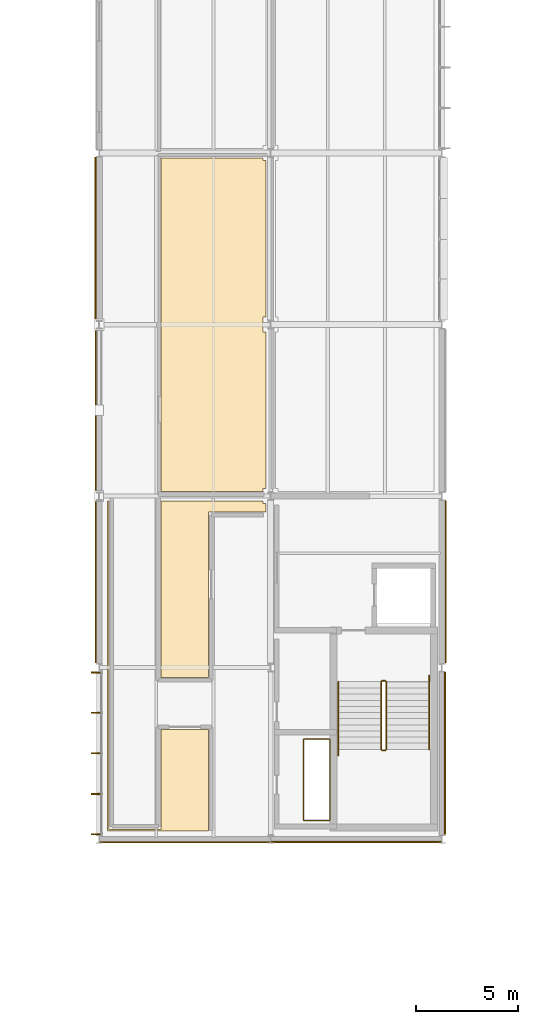
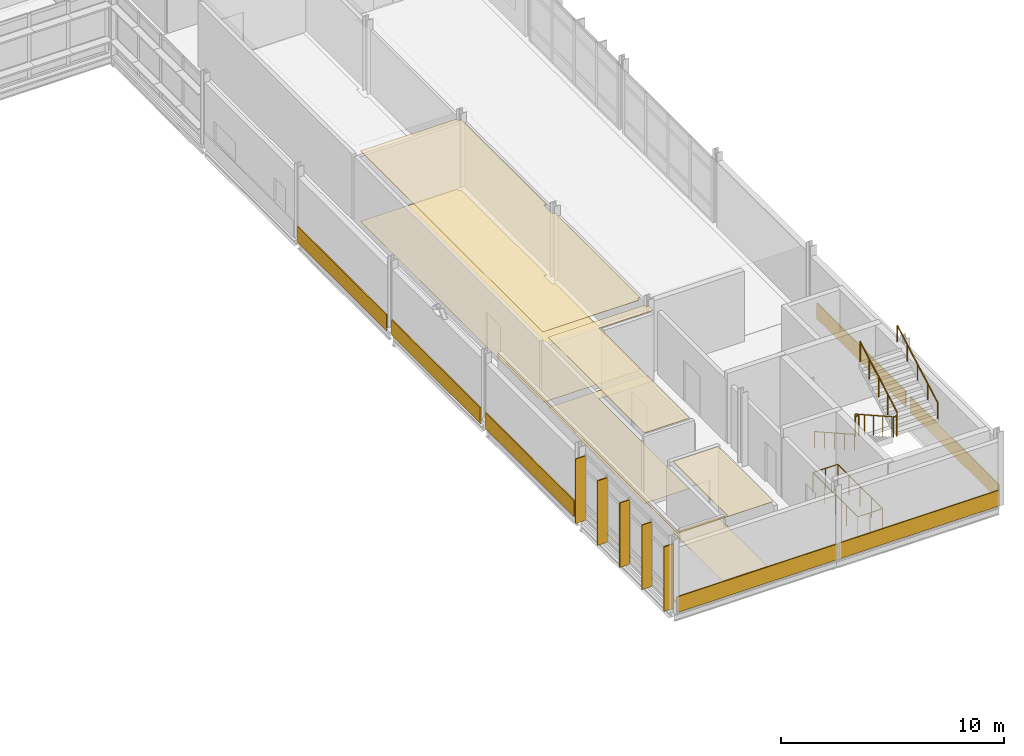
# One storey, part 127 of 131: 13 coverings, 7 railings, 5 shading devices.
"""IFC4 building model written with IfcOpenShell, lengths in metres."""

from ifc_helpers import new_model, si_unit, direction, frame, origin, origin_2d, place, context, subcontext, project, spatial, polyline, rectangle, circle, outline, extrude, material, layer, layer_set, type_object, element, save


model = new_model("IFC4")

# Units and contexts
model_context = context("Model", 3, precision=1e-05, world=origin(), true_north=direction((0.0, 1.0)))
body_context = subcontext(model_context, "Body", "Model", "MODEL_VIEW")
ifc_project = project(units=[si_unit("LENGTHUNIT", "METRE"), si_unit("AREAUNIT", "SQUARE_METRE"), si_unit("VOLUMEUNIT", "CUBIC_METRE"), si_unit("PLANEANGLEUNIT", "RADIAN"), si_unit("MASSUNIT", "GRAM", prefix="KILO")], contexts=[model_context])

# Site, building, storey
site_placement = place(None, origin())
site = spatial("IfcSite", under=ifc_project, at=site_placement, CompositionType="ELEMENT")
building_placement = place(site_placement, origin())
building = spatial("IfcBuilding", under=site, at=building_placement, Name="Mersafa Astral City Hall", CompositionType="ELEMENT")
storey_placement = place(building_placement, frame((0.0, 0.0, 13.949951171875)))
storey = spatial("IfcBuildingStorey", under=building, at=storey_placement, Name="L03", CompositionType="ELEMENT", Elevation=13.949951171875)

# Coverings
ifc_material_1 = material(Name="Cairo Mokattam buff limestone cladding", Category="masonry")
ifc_layer_1 = layer(ifc_material_1, 0.06005859375, Name="Cairo Mokattam buff limestone cladding")
ifc_layer_set_1 = layer_set([ifc_layer_1], Name="Cairo Mokattam buff limestone cladding — ENV-COV-LIMESTONE-60")
covering_type_1 = type_object("IfcCoveringType", Name="ENV-COV-LIMESTONE-60", PredefinedType="CLADDING", material=ifc_layer_set_1)
covering_1_placement = place(storey_placement, frame((159.423095703125, 79.81494140625, 0.0), z_axis=(0.0, 0.0, 1.0), x_axis=(0.0, -1.0, 0.0)))
element("IfcCovering", 1, at=covering_1_placement, inside=storey, type_object=covering_type_1, Name="L03 Cairo buff limestone rainscreen cladding 226", PredefinedType="CLADDING", context=body_context, shape_type="SweptSolid", body=[
    extrude(rectangle(XDim=7.97802734375, YDim=0.06005859375, at=origin_2d()), origin(), (0.0, 0.0, 1.0), 0.860107421875),
])
for number, where, z_axis, x_axis, name in (
    (2, (159.430419921875, 71.39990234375, 0.0), (0.0, 0.0, 1.0), (0.0, -1.0, 0.0), "L03 Cairo buff limestone rainscreen cladding 227"),
    (3, (159.43798828125, 63.0, 0.0), (0.0, 0.0, 1.0), (0.0, -1.0, 0.0), "L03 Cairo buff limestone rainscreen cladding 228"),
):
    element("IfcCovering", number, at=place(storey_placement, frame(where, z_axis=z_axis, x_axis=x_axis)), inside=storey, type_object=covering_type_1, Name=name, PredefinedType="CLADDING", context=body_context, shape_type="SweptSolid", body=[
        extrude(rectangle(XDim=7.947998046875, YDim=0.06005859375, at=origin_2d()), origin(), (0.0, 0.0, 1.0), 0.860107421875),
    ])
for number, where, z_axis, x_axis, name in (
    (4, (163.800048828125, 50.24560546875, 0.0), (0.0, 0.0, 1.0), (1.0, 0.0, 0.0), "L03 Cairo buff limestone rainscreen cladding 229"),
    (5, (172.199951171875, 50.2529296875, 0.0), (0.0, 0.0, 1.0), (1.0, 0.0, 0.0), "L03 Cairo buff limestone rainscreen cladding 230"),
):
    element("IfcCovering", number, at=place(storey_placement, frame(where, z_axis=z_axis, x_axis=x_axis)), inside=storey, type_object=covering_type_1, Name=name, PredefinedType="CLADDING", context=body_context, shape_type="SweptSolid", body=[
        extrude(rectangle(XDim=8.323974609375, YDim=0.06005859375, at=origin_2d()), origin(), (0.0, 0.0, 1.0), 0.860107421875),
    ])
for number, where, z_axis, x_axis, name in (
    (6, (176.53955078125, 54.60009765625, 0.0), (0.0, 0.0, 1.0), (0.0, 1.0, 0.0), "L03 Cairo buff limestone rainscreen cladding 231"),
    (7, (176.576904296875, 63.0, 0.0), (0.0, 0.0, 1.0), (0.0, 1.0, 0.0), "L03 Cairo buff limestone rainscreen cladding 232"),
):
    element("IfcCovering", number, at=place(storey_placement, frame(where, z_axis=z_axis, x_axis=x_axis)), inside=storey, type_object=covering_type_1, Name=name, PredefinedType="CLADDING", context=body_context, shape_type="SweptSolid", body=[
        extrude(rectangle(XDim=7.947998046875, YDim=0.06005859375, at=origin_2d()), origin(), (0.0, 0.0, 1.0), 0.860107421875),
    ])

# Shading devices
ifc_material_2 = material(Name="Anodised bronze aluminium solar fin", Category="aluminium")
shading_device_type = type_object("IfcShadingDeviceType", Name="ENV-SHD-FIN-500A", PredefinedType="USERDEFINED", material=ifc_material_2)
for number, where, z_axis, x_axis, name in (
    (8, (159.455078125, 58.55810546875, -0.01513671875), (0.0, 0.0, 1.0), (0.0, -1.0, 0.0), "L03 Vertical bronze solar fin 1052"),
    (9, (159.455078125, 56.593994140625, -0.01513671875), (0.0, 0.0, 1.0), (0.0, -1.0, 0.0), "L03 Vertical bronze solar fin 1053"),
    (10, (159.455078125, 54.60009765625, -0.01513671875), (0.0, 0.0, 1.0), (0.0, -1.0, 0.0), "L03 Vertical bronze solar fin 1054"),
    (11, (159.455078125, 52.60595703125, -0.01513671875), (0.0, 0.0, 1.0), (0.0, -1.0, 0.0), "L03 Vertical bronze solar fin 1055"),
    (12, (159.455078125, 50.64208984375, -0.01513671875), (0.0, 0.0, 1.0), (0.0, -1.0, 0.0), "L03 Vertical bronze solar fin 1056"),
):
    element("IfcShadingDevice", number, at=place(storey_placement, frame(where, z_axis=z_axis, x_axis=x_axis)), inside=storey, type_object=shading_device_type, Name=name, ObjectType="FIN", PredefinedType="USERDEFINED", context=body_context, shape_type="SweptSolid", body=[
        extrude(rectangle(XDim=0.06005859375, YDim=0.5, at=origin_2d()), origin(), (0.0, 0.0, 1.0), 3.527099609375),
    ])

# Railings
ifc_material_3 = material(Name="Painted architectural steel stair guard balustrade", Category="steel")
railing_type_1 = type_object("IfcRailingType", Name="GUARD-RAIL", PredefinedType="BALUSTRADE", material=ifc_material_3)
railing_1_placement = place(storey_placement, frame((173.409912109375, 58.10009765625, 0.168701171875)))
element("IfcRailing", 13, at=railing_1_placement, inside=storey, type_object=railing_type_1, Name="L03 ST4 stair guard 1", PredefinedType="BALUSTRADE", context=body_context, shape_type="SweptSolid", body=[
    extrude(circle(Radius=0.02392578125, at=origin_2d()), frame((0.0, 0.0, 1.09619140625), z_axis=(0.0, -0.871556594703, 0.490294913526), x_axis=(1.0, 0.0, 0.0)), (0.0, 0.0, 1.0), 3.786376953125),
    extrude(circle(Radius=0.02099609375, at=origin_2d()), origin(), (0.0, 0.0, 1.0), 1.072021484375),
    extrude(circle(Radius=0.02099609375, at=origin_2d()), frame((0.0, -0.824951171875, 0.464111328125)), (0.0, 0.0, 1.0), 1.072021484375),
    extrude(circle(Radius=0.02099609375, at=origin_2d()), frame((0.0, -1.64990234375, 0.92822265625)), (0.0, 0.0, 1.0), 1.072021484375),
    extrude(circle(Radius=0.02099609375, at=origin_2d()), frame((0.0, -2.47509765625, 1.392333984375)), (0.0, 0.0, 1.0), 1.072021484375),
    extrude(circle(Radius=0.02099609375, at=origin_2d()), frame((0.0, -3.300048828125, 1.8564453125)), (0.0, 0.0, 1.0), 1.072021484375),
])
railing_2_placement = place(storey_placement, frame((173.4599609375, 54.75, 2.025146484375)))
element("IfcRailing", 14, at=railing_2_placement, inside=storey, type_object=railing_type_1, Name="L03 ST4 stair guard 2", PredefinedType="BALUSTRADE", context=body_context, shape_type="SweptSolid", body=[
    extrude(circle(Radius=0.02392578125, at=origin_2d()), frame((0.0, 0.0, 1.09619140625), z_axis=(1.0, 0.0, 0.0), x_axis=(0.0, 1.0, 0.0)), (0.0, 0.0, 1.0), 0.16015625),
    extrude(circle(Radius=0.02099609375, at=origin_2d()), origin(), (0.0, 0.0, 1.0), 1.072021484375),
    extrude(circle(Radius=0.02099609375, at=origin_2d()), frame((0.16015625, 0.0, 0.0)), (0.0, 0.0, 1.0), 1.072021484375),
])
railing_3_placement = place(storey_placement, frame((173.669921875, 54.800048828125, 2.19384765625)))
element("IfcRailing", 15, at=railing_3_placement, inside=storey, type_object=railing_type_1, Name="L03 ST4 stair guard 3", PredefinedType="BALUSTRADE", context=body_context, shape_type="SweptSolid", body=[
    extrude(circle(Radius=0.02392578125, at=origin_2d()), frame((0.0, 0.0, 1.09619140625), z_axis=(0.0, 0.871584147158, 0.490245932592), x_axis=(-1.0, 0.0, 0.0)), (0.0, 0.0, 1.0), 3.786376953125),
    extrude(circle(Radius=0.02099609375, at=origin_2d()), origin(), (0.0, 0.0, 1.0), 1.072021484375),
    extrude(circle(Radius=0.02099609375, at=origin_2d()), frame((0.0, 0.824951171875, 0.464111328125)), (0.0, 0.0, 1.0), 1.072021484375),
    extrude(circle(Radius=0.02099609375, at=origin_2d()), frame((0.0, 1.64990234375, 0.92822265625)), (0.0, 0.0, 1.0), 1.072021484375),
    extrude(circle(Radius=0.02099609375, at=origin_2d()), frame((0.0, 2.47509765625, 1.39208984375)), (0.0, 0.0, 1.0), 1.072021484375),
    extrude(circle(Radius=0.02099609375, at=origin_2d()), frame((0.0, 3.300048828125, 1.856201171875)), (0.0, 0.0, 1.0), 1.072021484375),
])
railing_4_placement = place(storey_placement, frame((173.4599609375, 58.14990234375, 0.0)))
element("IfcRailing", 16, at=railing_4_placement, inside=storey, type_object=railing_type_1, Name="L03 ST4 stair guard 4", PredefinedType="BALUSTRADE", context=body_context, shape_type="SweptSolid", body=[
    extrude(circle(Radius=0.02392578125, at=origin_2d()), frame((0.0, 0.0, 1.09619140625), z_axis=(1.0, 0.0, 0.0), x_axis=(0.0, 1.0, 0.0)), (0.0, 0.0, 1.0), 0.16015625),
    extrude(circle(Radius=0.02099609375, at=origin_2d()), origin(), (0.0, 0.0, 1.0), 1.072021484375),
    extrude(circle(Radius=0.02099609375, at=origin_2d()), frame((0.16015625, 0.0, 0.0)), (0.0, 0.0, 1.0), 1.072021484375),
])
railing_5_placement = place(storey_placement, frame((169.6201171875, 51.300048828125, 0.0)))
element("IfcRailing", 17, at=railing_5_placement, inside=storey, type_object=railing_type_1, Name="L03 K4 MEP Riser Shaft Guard", PredefinedType="BALUSTRADE", context=body_context, shape_type="SweptSolid", body=[
    extrude(circle(Radius=0.02392578125, at=origin_2d()), frame((0.0, 0.0, 1.09619140625), z_axis=(1.0, 0.0, 0.0), x_axis=(0.0, 1.0, 0.0)), (0.0, 0.0, 1.0), 1.27978515625),
    extrude(circle(Radius=0.02392578125, at=origin_2d()), frame((1.27978515625, 0.0, 1.09619140625), z_axis=(0.0, 1.0, 0.0), x_axis=(-1.0, 0.0, 0.0)), (0.0, 0.0, 1.0), 4.0),
    extrude(circle(Radius=0.02392578125, at=origin_2d()), frame((1.27978515625, 4.0, 1.09619140625), z_axis=(-1.0, 0.0, 0.0), x_axis=(0.0, -1.0, 0.0)), (0.0, 0.0, 1.0), 1.27978515625),
    extrude(circle(Radius=0.02392578125, at=origin_2d()), frame((0.0, 4.0, 1.09619140625), z_axis=(0.0, -1.0, 0.0), x_axis=(1.0, 0.0, 0.0)), (0.0, 0.0, 1.0), 4.0),
    extrude(circle(Radius=0.02099609375, at=origin_2d()), origin(), (0.0, 0.0, 1.0), 1.072021484375),
    extrude(circle(Radius=0.02099609375, at=origin_2d()), frame((0.639892578125, 0.0, 0.0)), (0.0, 0.0, 1.0), 1.072021484375),
    extrude(circle(Radius=0.02099609375, at=origin_2d()), frame((1.27978515625, 0.0, 0.0)), (0.0, 0.0, 1.0), 1.072021484375),
    extrude(circle(Radius=0.02099609375, at=origin_2d()), frame((1.27978515625, 1.0, 0.0)), (0.0, 0.0, 1.0), 1.072021484375),
    extrude(circle(Radius=0.02099609375, at=origin_2d()), frame((1.27978515625, 2.0, 0.0)), (0.0, 0.0, 1.0), 1.072021484375),
    extrude(circle(Radius=0.02099609375, at=origin_2d()), frame((1.27978515625, 3.0, 0.0)), (0.0, 0.0, 1.0), 1.072021484375),
    extrude(circle(Radius=0.02099609375, at=origin_2d()), frame((1.27978515625, 4.0, 0.0)), (0.0, 0.0, 1.0), 1.072021484375),
    extrude(circle(Radius=0.02099609375, at=origin_2d()), frame((0.639892578125, 4.0, 0.0)), (0.0, 0.0, 1.0), 1.072021484375),
    extrude(circle(Radius=0.02099609375, at=origin_2d()), frame((0.0, 4.0, 0.0)), (0.0, 0.0, 1.0), 1.072021484375),
    extrude(circle(Radius=0.02099609375, at=origin_2d()), frame((0.0, 3.0, 0.0)), (0.0, 0.0, 1.0), 1.072021484375),
    extrude(circle(Radius=0.02099609375, at=origin_2d()), frame((0.0, 2.0, 0.0)), (0.0, 0.0, 1.0), 1.072021484375),
    extrude(circle(Radius=0.02099609375, at=origin_2d()), frame((0.0, 1.0, 0.0)), (0.0, 0.0, 1.0), 1.072021484375),
])
ifc_material_4 = material(Name="Brushed stainless steel tubular handrail", Category="steel")
railing_type_2 = type_object("IfcRailingType", Name="HANDRAIL", PredefinedType="HANDRAIL", material=ifc_material_4)
railing_6_placement = place(storey_placement, frame((171.31005859375, 58.10009765625, 0.168701171875)))
element("IfcRailing", 18, at=railing_6_placement, inside=storey, type_object=railing_type_2, Name="L03 ST4 stair handrail 1", PredefinedType="HANDRAIL", context=body_context, shape_type="SweptSolid", body=[
    extrude(circle(Radius=0.02392578125, at=origin_2d()), frame((0.0, 0.0, 0.8759765625), z_axis=(0.0, -0.871262930089, 0.49081657129), x_axis=(1.0, 0.0, 0.0)), (0.0, 0.0, 1.0), 4.132080078125),
    extrude(circle(Radius=0.02099609375, at=origin_2d()), origin(), (0.0, 0.0, 1.0), 0.851806640625),
    extrude(circle(Radius=0.02099609375, at=origin_2d()), frame((0.0, -0.89990234375, 0.507080078125)), (0.0, 0.0, 1.0), 0.851806640625),
    extrude(circle(Radius=0.02099609375, at=origin_2d()), frame((0.0, -1.800048828125, 1.01416015625)), (0.0, 0.0, 1.0), 0.851806640625),
    extrude(circle(Radius=0.02099609375, at=origin_2d()), frame((0.0, -2.7001953125, 1.52099609375)), (0.0, 0.0, 1.0), 0.851806640625),
    extrude(circle(Radius=0.02099609375, at=origin_2d()), frame((0.0, -3.60009765625, 2.028076171875)), (0.0, 0.0, 1.0), 0.851806640625),
])
railing_7_placement = place(storey_placement, frame((175.77001953125, 54.800048828125, 2.19384765625)))
element("IfcRailing", 19, at=railing_7_placement, inside=storey, type_object=railing_type_2, Name="L03 ST4 stair handrail 2", PredefinedType="HANDRAIL", context=body_context, shape_type="SweptSolid", body=[
    extrude(circle(Radius=0.02392578125, at=origin_2d()), frame((0.0, 0.0, 0.8759765625), z_axis=(0.0, 0.871273963605, 0.490796984856), x_axis=(-1.0, 0.0, 0.0)), (0.0, 0.0, 1.0), 4.131591796875),
    extrude(circle(Radius=0.02099609375, at=origin_2d()), origin(), (0.0, 0.0, 1.0), 0.851806640625),
    extrude(circle(Radius=0.02099609375, at=origin_2d()), frame((0.0, 0.89990234375, 0.5068359375)), (0.0, 0.0, 1.0), 0.851806640625),
    extrude(circle(Radius=0.02099609375, at=origin_2d()), frame((0.0, 1.7998046875, 1.013916015625)), (0.0, 0.0, 1.0), 0.851806640625),
    extrude(circle(Radius=0.02099609375, at=origin_2d()), frame((0.0, 2.699951171875, 1.52099609375)), (0.0, 0.0, 1.0), 0.851806640625),
    extrude(circle(Radius=0.02099609375, at=origin_2d()), frame((0.0, 3.599853515625, 2.02783203125)), (0.0, 0.0, 1.0), 0.851806640625),
])

# Coverings
ifc_material_5 = material(Name="Perforated acoustic gypsum board ceiling", Category="gypsum")
ifc_layer_2 = layer(ifc_material_5, 0.02490234375, Name="Perforated acoustic gypsum board ceiling")
ifc_layer_set_2 = layer_set([ifc_layer_2], Name="Perforated acoustic gypsum board ceiling — INT-COV-CEIL-25")
covering_type_2 = type_object("IfcCoveringType", Name="INT-COV-CEIL-25", PredefinedType="CEILING", material=ifc_layer_set_2)
covering_2_placement = place(storey_placement, frame((0.0, 0.0, 3.845947265625)))
element("IfcCovering", 20, at=covering_2_placement, inside=storey, type_object=covering_type_2, Name="L03 Municipal Finance & Treasury Office L03-04 acoustic ceiling", PredefinedType="CEILING", context=body_context, shape_type="SweptSolid", body=[
    extrude(outline(polyline([(167.6298828125, 83.6298828125), (167.77001953125, 83.6298828125), (167.77001953125, 75.969970703125), (167.6298828125, 75.969970703125), (167.6298828125, 75.22998046875), (167.77001953125, 75.22998046875), (167.77001953125, 67.570068359375), (167.6298828125, 67.570068359375), (167.6298828125, 67.429931640625), (162.639892578125, 67.429931640625), (162.639892578125, 83.77001953125), (167.6298828125, 83.77001953125), (167.6298828125, 83.6298828125)])), origin(), (0.0, 0.0, 1.0), 0.025146484375),
])
covering_3_placement = place(storey_placement, frame((0.0, 0.0, 3.845947265625)))
element("IfcCovering", 21, at=covering_3_placement, inside=storey, type_object=covering_type_2, Name="L03 Standing Committee Room L03-32 acoustic ceiling", PredefinedType="CEILING", context=body_context, shape_type="SweptSolid", body=[
    extrude(outline(polyline([(162.639892578125, 58.320068359375), (162.639892578125, 66.969970703125), (167.6298828125, 66.969970703125), (167.6298828125, 66.830078125), (167.77001953125, 66.830078125), (167.77001953125, 66.419921875), (164.9599609375, 66.419921875), (164.9599609375, 58.320068359375), (162.639892578125, 58.320068359375)])), origin(), (0.0, 0.0, 1.0), 0.025146484375),
])
covering_4_placement = place(storey_placement, frame((0.0, 0.0, 3.845947265625)))
element("IfcCovering", 22, at=covering_4_placement, inside=storey, type_object=covering_type_2, Name="L03 Legal Counsel & Legislation Office L03-33 acoustic ceiling", PredefinedType="CEILING", context=body_context, shape_type="SweptSolid", body=[
    extrude(outline(polyline([(160.080078125, 66.969970703125), (160.080078125, 50.8798828125), (162.639892578125, 50.8798828125), (162.639892578125, 55.760009765625), (164.9599609375, 55.760009765625), (164.9599609375, 50.800048828125), (160.0, 50.800048828125), (160.0, 66.969970703125), (160.080078125, 66.969970703125)])), origin(), (0.0, 0.0, 1.0), 0.025146484375),
])
ifc_material_6 = material(Name="Heavy-duty woven acoustic carpet tile", Category="finish")
ifc_layer_3 = layer(ifc_material_6, 0.014892578125, Name="Heavy-duty woven acoustic carpet tile")
ifc_layer_set_3 = layer_set([ifc_layer_3], Name="Heavy-duty woven acoustic carpet tile — INT-COV-FLR-15")
covering_type_3 = type_object("IfcCoveringType", Name="INT-COV-FLR-15", PredefinedType="FLOORING", material=ifc_layer_set_3)
covering_5_placement = place(storey_placement, frame((0.0, 0.0, -0.00146484375)))
element("IfcCovering", 23, at=covering_5_placement, inside=storey, type_object=covering_type_3, Name="L03 Municipal Finance & Treasury Office L03-04 architectural flooring", PredefinedType="FLOORING", context=body_context, shape_type="SweptSolid", body=[
    extrude(outline(polyline([(167.6298828125, 83.6298828125), (167.77001953125, 83.6298828125), (167.77001953125, 75.969970703125), (167.6298828125, 75.969970703125), (167.6298828125, 75.22998046875), (167.77001953125, 75.22998046875), (167.77001953125, 67.570068359375), (167.6298828125, 67.570068359375), (167.6298828125, 67.429931640625), (162.639892578125, 67.429931640625), (162.639892578125, 83.77001953125), (167.6298828125, 83.77001953125), (167.6298828125, 83.6298828125)])), origin(), (0.0, 0.0, 1.0), 0.014892578125),
])
covering_6_placement = place(storey_placement, frame((0.0, 0.0, -0.00146484375)))
element("IfcCovering", 24, at=covering_6_placement, inside=storey, type_object=covering_type_3, Name="L03 Standing Committee Room L03-32 architectural flooring", PredefinedType="FLOORING", context=body_context, shape_type="SweptSolid", body=[
    extrude(outline(polyline([(162.639892578125, 58.320068359375), (162.639892578125, 66.969970703125), (167.6298828125, 66.969970703125), (167.6298828125, 66.830078125), (167.77001953125, 66.830078125), (167.77001953125, 66.419921875), (164.9599609375, 66.419921875), (164.9599609375, 58.320068359375), (162.639892578125, 58.320068359375)])), origin(), (0.0, 0.0, 1.0), 0.014892578125),
])
covering_7_placement = place(storey_placement, frame((0.0, 0.0, -0.00146484375)))
element("IfcCovering", 25, at=covering_7_placement, inside=storey, type_object=covering_type_3, Name="L03 Legal Counsel & Legislation Office L03-33 architectural flooring", PredefinedType="FLOORING", context=body_context, shape_type="SweptSolid", body=[
    extrude(outline(polyline([(160.080078125, 66.969970703125), (160.080078125, 50.8798828125), (162.639892578125, 50.8798828125), (162.639892578125, 55.760009765625), (164.9599609375, 55.760009765625), (164.9599609375, 50.800048828125), (160.0, 50.800048828125), (160.0, 66.969970703125), (160.080078125, 66.969970703125)])), origin(), (0.0, 0.0, 1.0), 0.014892578125),
])

save(model, "model.ifc")
